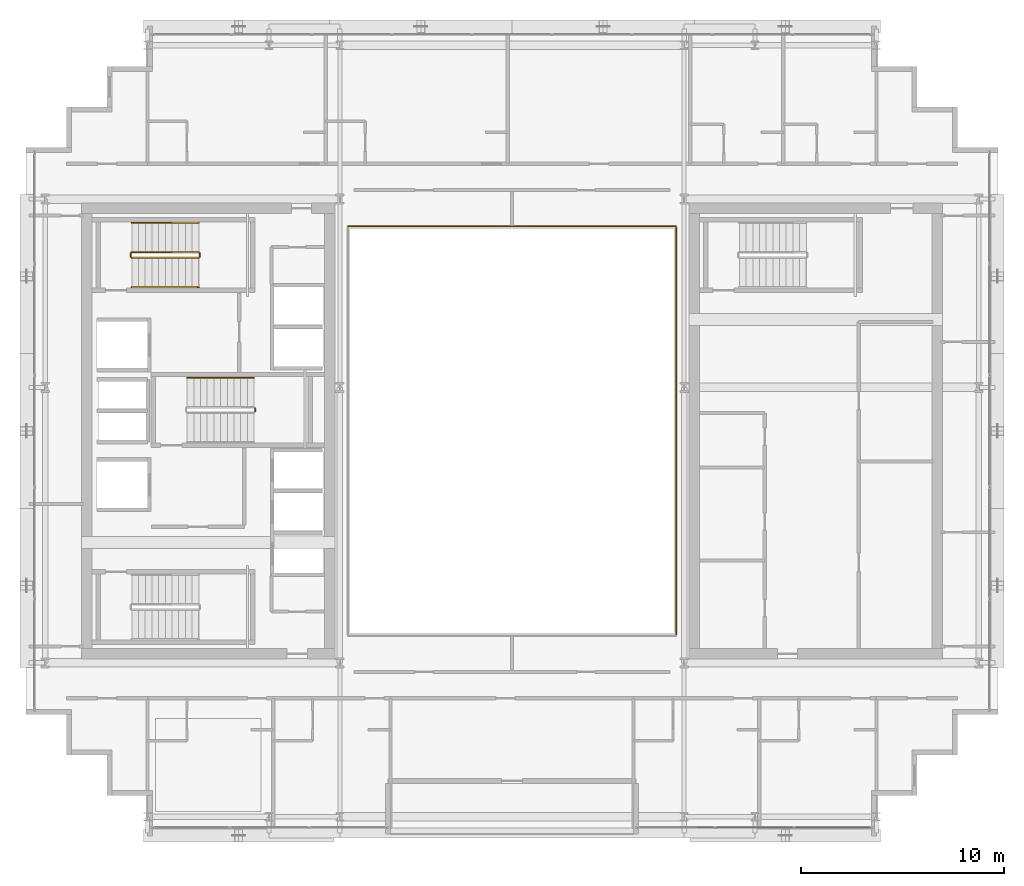
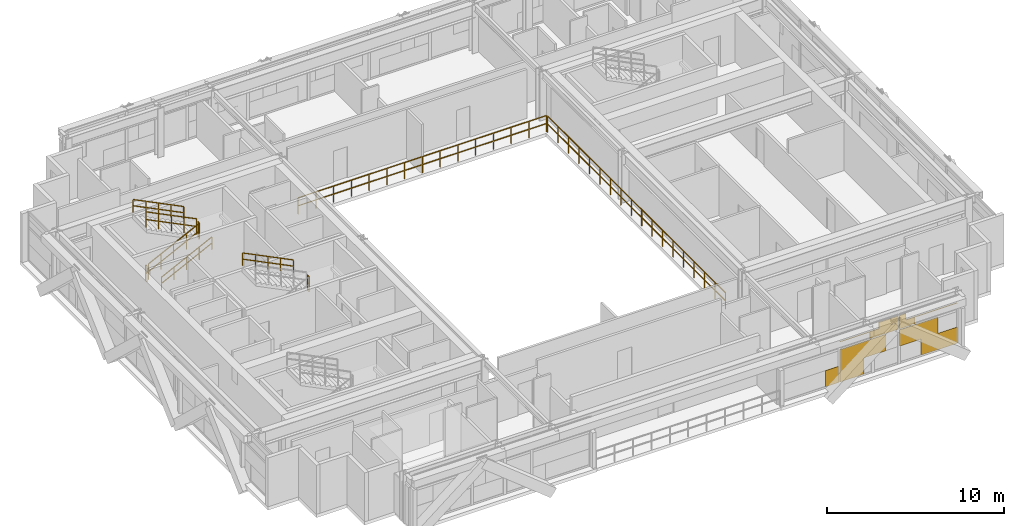
# One storey, part 29 of 31: 10 railings, 1 covering.
"""IFC4 building model written with IfcOpenShell, lengths in metres."""

import ifcopenshell
import ifcopenshell.guid

model = None  # the IFC model being written
_history = None  # IfcOwnerHistory: only IFC2X3 demands one
_inside = {}  # id of a spatial element -> (the spatial element, [elements in it])
_under = {}  # id of a project, library or spatial element -> (it, [spatial elements below it])
_declared = {}  # id of a project -> (the project, [libraries it declares])
_typed = {}  # id of a type object -> (the type object, [elements of that type])
_made_of = {}  # id of a material, layer set ... -> (it, [elements and type objects made of it])


def new_model(schema):
    """Start an empty IFC model of exactly this schema.

    Asked for "IFC4X3", IfcOpenShell would pick the latest addendum, in which some entities
    have other attributes; the version numbers below select the first issue.
    IFC2X3 requires an IfcOwnerHistory on every rooted entity: one is made here for all.
    """
    global model, _history
    if schema == "IFC4X3":
        model = ifcopenshell.file(schema_version=(4, 3, 0, 0))
    else:
        model = ifcopenshell.file(schema=schema)
    _inside.clear()
    _under.clear()
    _declared.clear()
    _typed.clear()
    _made_of.clear()
    _history = None
    if model.schema == "IFC2X3":
        org = make("IfcOrganization", Name="unknown")
        user = make(
            "IfcPersonAndOrganization",
            ThePerson=make("IfcPerson", FamilyName="unknown"),
            TheOrganization=org,
        )
        app = make(
            "IfcApplication",
            ApplicationDeveloper=org,
            Version="unknown",
            ApplicationFullName="unknown",
            ApplicationIdentifier="unknown",
        )
        _history = make(
            "IfcOwnerHistory",
            OwningUser=user,
            OwningApplication=app,
            ChangeAction="ADDED",
            CreationDate=0,
        )
    return model


def make(cls, **values):
    """One entity of the class cls with the attributes given. An attribute that is None is left unset."""
    return model.create_entity(
        cls, **{name: value for name, value in values.items() if value is not None}
    )


def rooted(cls, **values):
    """An entity with a GlobalId (a new one), such as an element, a storey or a relation."""
    return make(cls, GlobalId=ifcopenshell.guid.new(), OwnerHistory=_history, **values)


def si_unit(unit_type, name, prefix=None):
    """IfcSIUnit, for example si_unit("LENGTHUNIT", "METRE", prefix="MILLI")."""
    return make("IfcSIUnit", UnitType=unit_type, Prefix=prefix, Name=name)


def assignment(units):
    """IfcUnitAssignment: the units of a project."""
    return None if units is None else make("IfcUnitAssignment", Units=units)


def point(xyz):
    """IfcCartesianPoint."""
    return None if xyz is None else make("IfcCartesianPoint", Coordinates=xyz)


def direction(xyz):
    """IfcDirection."""
    return None if xyz is None else make("IfcDirection", DirectionRatios=xyz)


def frame(location, z_axis=None, x_axis=None):
    """IfcAxis2Placement3D, a coordinate frame: its origin and axes. An axis left out is left unset."""
    return make(
        "IfcAxis2Placement3D",
        Location=point(location),
        Axis=direction(z_axis),
        RefDirection=direction(x_axis),
    )


def frame_2d(location, x_axis=None):
    """IfcAxis2Placement2D, a coordinate frame in the plane: its origin and x axis."""
    return make(
        "IfcAxis2Placement2D", Location=point(location), RefDirection=direction(x_axis)
    )


def origin():
    """The frame at (0, 0, 0) with its axes left unset."""
    return frame((0.0, 0.0, 0.0))


def origin_2d():
    """The frame at (0, 0) in the plane with its x axis left unset."""
    return frame_2d((0.0, 0.0))


def place(relative_to, where):
    """IfcLocalPlacement: puts the frame where relative to a parent placement (None: the world)."""
    return make(
        "IfcLocalPlacement", PlacementRelTo=relative_to, RelativePlacement=where
    )


def context(
    kind, dimensions, precision=None, world=None, true_north=None, identifier=None
):
    """IfcGeometricRepresentationContext, for example the 3D "Model" context."""
    return make(
        "IfcGeometricRepresentationContext",
        ContextIdentifier=identifier,
        ContextType=kind,
        CoordinateSpaceDimension=dimensions,
        Precision=precision,
        WorldCoordinateSystem=world,
        TrueNorth=true_north,
    )


def subcontext(parent, identifier, kind, view, scale=None):
    """IfcGeometricRepresentationSubContext, for example "Body" below "Model"."""
    return make(
        "IfcGeometricRepresentationSubContext",
        ContextIdentifier=identifier,
        ContextType=kind,
        ParentContext=parent,
        TargetScale=scale,
        TargetView=view,
    )


def project(units=None, contexts=None):
    """IfcProject with its units and contexts."""
    return rooted(
        "IfcProject",
        Name="project",
        RepresentationContexts=contexts,
        UnitsInContext=assignment(units),
    )


def spatial(cls, under=None, at=None, **own):
    """A site, building, storey or space (cls), placed at a placement, below another one or the project."""
    s = rooted(cls, ObjectPlacement=at, **own)
    if under is not None:
        _under.setdefault(under.id(), (under, []))[1].append(s)
    return s


def profile(cls, at=None, kind="AREA", **sizes):
    """A parametric profile (cls). Its sizes go by their IFC names, for example OverallWidth=200.0."""
    return make(cls, ProfileType=kind, Position=at, **sizes)


def rectangle(**sizes):
    """IfcRectangleProfileDef."""
    return profile("IfcRectangleProfileDef", **sizes)


def extrude(swept, where, along, depth):
    """IfcExtrudedAreaSolid: the profile swept, set in the frame where, extruded along a direction by depth."""
    return make(
        "IfcExtrudedAreaSolid",
        SweptArea=swept,
        Position=where,
        ExtrudedDirection=direction(along),
        Depth=depth,
    )


def shape(context_of_items, identifier, shape_type, items):
    """IfcShapeRepresentation: the items that make up one representation, for example the "Body"."""
    return make(
        "IfcShapeRepresentation",
        ContextOfItems=context_of_items,
        RepresentationIdentifier=identifier,
        RepresentationType=shape_type,
        Items=items,
    )


def material(Name=None, Category=None):
    """IfcMaterial."""
    return make("IfcMaterial", Name=Name, Category=Category)


def layer(
    of_material, thickness, ventilated=None, Name=None, Category=None, Priority=None
):
    """IfcMaterialLayer: one layer of a wall or slab, of a material (None: an air gap)."""
    return make(
        "IfcMaterialLayer",
        Material=of_material,
        LayerThickness=thickness,
        IsVentilated=ventilated,
        Name=Name,
        Category=Category,
        Priority=Priority,
    )


def layer_set(layers, Name=None):
    """IfcMaterialLayerSet."""
    return make("IfcMaterialLayerSet", MaterialLayers=layers, LayerSetName=Name)


def made_of(thing, what):
    """Note that an element or type object is made of a material, layer set ...; save() writes the relation."""
    if what is not None:
        _made_of.setdefault(what.id(), (what, []))[1].append(thing)
    return thing


def type_object(cls, material=None, **own):
    """A type object (cls), such as IfcWallType, which elements share."""
    return made_of(rooted(cls, **own), material)


def element(
    cls,
    number,
    at=None,
    inside=None,
    cuts=None,
    type_object=None,
    material=None,
    context=None,
    identifier="Body",
    shape_type=None,
    held_by="IfcProductDefinitionShape",
    body=None,
    shapes=None,
    **own,
):
    """One element of the class cls, such as IfcWall. Its Tag is "e" and its number.

    at: its placement. inside: the storey or other place that contains it. cuts: it is an
    opening in that element (IfcRelVoidsElement). A single representation is given by context,
    identifier, shape_type and body (its items); several are given by shapes. held_by: the class
    of the entity that holds the representations. save() writes the other relations.
    """
    e = rooted(cls, Tag="e%d" % number, ObjectPlacement=at, **own)
    if body is not None:
        shapes = [shape(context, identifier, shape_type, body)]
    if shapes is not None:
        e.Representation = make(held_by, Representations=shapes)
    if inside is not None:
        _inside.setdefault(inside.id(), (inside, []))[1].append(e)
    if cuts is not None:
        rooted(
            "IfcRelVoidsElement", RelatingBuildingElement=cuts, RelatedOpeningElement=e
        )
    if type_object is not None:
        _typed.setdefault(type_object.id(), (type_object, []))[1].append(e)
    return made_of(e, material)


def aggregate(whole, parts):
    """IfcRelAggregates: a whole, such as a stair, and the parts it consists of."""
    return rooted("IfcRelAggregates", RelatingObject=whole, RelatedObjects=parts)


def save(model, path):
    """Write the relations noted so far, then the file.

    IfcRelAggregates (storeys below a building ...), IfcRelContainedInSpatialStructure (elements
    in a storey), IfcRelDefinesByType, IfcRelAssociatesMaterial and IfcRelDeclares: one each for
    every whole, place, type object, material and project.
    """
    for whole, parts in _under.values():
        aggregate(whole, parts)
    for where, things in _inside.values():
        rooted(
            "IfcRelContainedInSpatialStructure",
            RelatedElements=things,
            RelatingStructure=where,
        )
    for kind, things in _typed.values():
        rooted("IfcRelDefinesByType", RelatedObjects=things, RelatingType=kind)
    for what, things in _made_of.values():
        rooted("IfcRelAssociatesMaterial", RelatedObjects=things, RelatingMaterial=what)
    for by, libraries in _declared.values():
        rooted("IfcRelDeclares", RelatingContext=by, RelatedDefinitions=libraries)
    model.write(path)


model = new_model("IFC4")

# Units and contexts
model_context = context("Model", 3, precision=1e-05, world=origin(), true_north=direction((0.0, 1.0)))
body_context = subcontext(model_context, "Body", "Model", "MODEL_VIEW")
ifc_project = project(units=[si_unit("LENGTHUNIT", "METRE"), si_unit("AREAUNIT", "SQUARE_METRE"), si_unit("VOLUMEUNIT", "CUBIC_METRE"), si_unit("PLANEANGLEUNIT", "RADIAN"), si_unit("MASSUNIT", "GRAM", prefix="KILO")], contexts=[model_context])

# Site, building, storey
site_placement = place(None, origin())
site = spatial("IfcSite", under=ifc_project, at=site_placement, CompositionType="ELEMENT")
building_placement = place(site_placement, origin())
building = spatial("IfcBuilding", under=site, at=building_placement, Name="Ocotamira Hotel", CompositionType="ELEMENT")
storey_placement = place(building_placement, frame((0.0, 0.0, 174.0)))
storey = spatial("IfcBuildingStorey", under=building, at=storey_placement, Name="L43", CompositionType="ELEMENT", Elevation=174.0)

# Covering
ifc_material_1 = material(Name="Insulated pale-metal aluminium spandrel panel", Category="aluminium")
ifc_layer = layer(ifc_material_1, 0.044921875)
ifc_layer_set = layer_set([ifc_layer], Name="Insulated pale-metal aluminium spandrel panel")
covering_type = type_object("IfcCoveringType", Name="COV-INFILL-45", PredefinedType="CLADDING", material=ifc_layer_set)
covering_placement = place(storey_placement, origin())
element("IfcCovering", 1, at=covering_placement, inside=storey, type_object=covering_type, Name="L43 Curtain Wall Infill CW-4 CW-L43-S2", PredefinedType="CLADDING", context=body_context, shape_type="SweptSolid", body=[
    extrude(rectangle(XDim=0.85888671875, YDim=0.044921875, at=origin_2d()), frame((41.5634765625, 6.419921875, 0.07568359375), z_axis=(0.0, 0.0, 1.0), x_axis=(1.0, 0.0, 0.0)), (0.0, 0.0, 1.0), 1.117919921875),
    extrude(rectangle(XDim=1.578125, YDim=0.044921875, at=origin_2d()), frame((42.86279296875, 6.419921875, 0.07568359375), z_axis=(0.0, 0.0, 1.0), x_axis=(1.0, 0.0, 0.0)), (0.0, 0.0, 1.0), 1.117919921875),
    extrude(rectangle(XDim=2.9765625, YDim=0.044921875, at=origin_2d()), frame((43.56201171875, 6.419921875, 1.1943359375), z_axis=(0.0, 0.0, 1.0), x_axis=(1.0, 0.0, 0.0)), (0.0, 0.0, 1.0), 1.117919921875),
    extrude(rectangle(XDim=3.80224609375, YDim=0.044921875, at=origin_2d()), frame((43.97509765625, 6.419921875, 2.83154296875), z_axis=(0.0, 0.0, 1.0), x_axis=(1.0, 0.0, 0.0)), (0.0, 0.0, 1.0), 0.0302734375),
    extrude(rectangle(XDim=1.8515625, YDim=0.044921875, at=origin_2d()), frame((44.950439453125, 6.419921875, 2.38818359375), z_axis=(0.0, 0.0, 1.0), x_axis=(1.0, 0.0, 0.0)), (0.0, 0.0, 1.0), 0.442626953125),
    extrude(rectangle(XDim=1.258056640625, YDim=0.044921875, at=origin_2d()), frame((45.2470703125, 6.419921875, 2.86279296875), z_axis=(0.0, 0.0, 1.0), x_axis=(1.0, 0.0, 0.0)), (0.0, 0.0, 1.0), 0.431640625),
    extrude(rectangle(XDim=2.510498046875, YDim=0.044921875, at=origin_2d()), frame((47.21240234375, 6.419921875, 1.1943359375), z_axis=(0.0, 0.0, 1.0), x_axis=(1.0, 0.0, 0.0)), (0.0, 0.0, 1.0), 1.117919921875),
    extrude(rectangle(XDim=2.37158203125, YDim=0.044921875, at=origin_2d()), frame((48.53369140625, 6.419921875, 0.07568359375), z_axis=(0.0, 0.0, 1.0), x_axis=(1.0, 0.0, 0.0)), (0.0, 0.0, 1.0), 1.117919921875),
    extrude(rectangle(XDim=1.018310546875, YDim=0.044921875, at=origin_2d()), frame((46.46630859375, 6.419921875, 2.38818359375), z_axis=(0.0, 0.0, 1.0), x_axis=(1.0, 0.0, 0.0)), (0.0, 0.0, 1.0), 0.442626953125),
    extrude(rectangle(XDim=3.76220703125, YDim=0.044921875, at=origin_2d()), frame((47.83837890625, 6.419921875, 2.83154296875), z_axis=(0.0, 0.0, 1.0), x_axis=(1.0, 0.0, 0.0)), (0.0, 0.0, 1.0), 0.0302734375),
    extrude(rectangle(XDim=0.4248046875, YDim=0.044921875, at=origin_2d()), frame((46.16943359375, 6.419921875, 2.86279296875), z_axis=(0.0, 0.0, 1.0), x_axis=(1.0, 0.0, 0.0)), (0.0, 0.0, 1.0), 0.431640625),
])

# Railings
ifc_material_2 = material(Name="Painted steel stair guardrail", Category="steel")
railing_type_1 = type_object("IfcRailingType", Name="RL-EDGE-1150", PredefinedType="GUARDRAIL", material=ifc_material_2)
railing_1_placement = place(storey_placement, frame((40.1201171875, 15.9599609375, 0.0)))
element("IfcRailing", 2, at=railing_1_placement, inside=storey, type_object=railing_type_1, Name="L43 Central Atrium Edge Guardrail E", PredefinedType="GUARDRAIL", context=body_context, shape_type="SweptSolid", body=[
    extrude(rectangle(XDim=0.048095703125, YDim=0.048095703125, at=origin_2d()), frame((0.0, 0.0, 1.1259765625), z_axis=(0.0, 1.0, 0.0), x_axis=(-1.0, 0.0, 0.0)), (0.0, 0.0, 1.0), 20.080078125),
    extrude(rectangle(XDim=0.048095703125, YDim=0.048095703125, at=origin_2d()), frame((0.0, 0.0, 0.574951171875), z_axis=(0.0, 1.0, 0.0), x_axis=(-1.0, 0.0, 0.0)), (0.0, 0.0, 1.0), 20.080078125),
    extrude(rectangle(XDim=0.0419921875, YDim=0.0419921875, at=origin_2d()), origin(), (0.0, 0.0, 1.0), 1.101806640625),
    extrude(rectangle(XDim=0.0419921875, YDim=0.0419921875, at=origin_2d()), frame((0.0, 1.18115234375, 0.0)), (0.0, 0.0, 1.0), 1.101806640625),
    extrude(rectangle(XDim=0.0419921875, YDim=0.0419921875, at=origin_2d()), frame((0.0, 2.3623046875, 0.0)), (0.0, 0.0, 1.0), 1.101806640625),
    extrude(rectangle(XDim=0.0419921875, YDim=0.0419921875, at=origin_2d()), frame((0.0, 3.54345703125, 0.0)), (0.0, 0.0, 1.0), 1.101806640625),
    extrude(rectangle(XDim=0.0419921875, YDim=0.0419921875, at=origin_2d()), frame((0.0, 4.724609375, 0.0)), (0.0, 0.0, 1.0), 1.101806640625),
    extrude(rectangle(XDim=0.0419921875, YDim=0.0419921875, at=origin_2d()), frame((0.0, 5.906005859375, 0.0)), (0.0, 0.0, 1.0), 1.101806640625),
    extrude(rectangle(XDim=0.0419921875, YDim=0.0419921875, at=origin_2d()), frame((0.0, 7.087158203125, 0.0)), (0.0, 0.0, 1.0), 1.101806640625),
    extrude(rectangle(XDim=0.0419921875, YDim=0.0419921875, at=origin_2d()), frame((0.0, 8.268310546875, 0.0)), (0.0, 0.0, 1.0), 1.101806640625),
    extrude(rectangle(XDim=0.0419921875, YDim=0.0419921875, at=origin_2d()), frame((0.0, 9.449462890625, 0.0)), (0.0, 0.0, 1.0), 1.101806640625),
    extrude(rectangle(XDim=0.0419921875, YDim=0.0419921875, at=origin_2d()), frame((0.0, 10.630615234375, 0.0)), (0.0, 0.0, 1.0), 1.101806640625),
    extrude(rectangle(XDim=0.0419921875, YDim=0.0419921875, at=origin_2d()), frame((0.0, 11.811767578125, 0.0)), (0.0, 0.0, 1.0), 1.101806640625),
    extrude(rectangle(XDim=0.0419921875, YDim=0.0419921875, at=origin_2d()), frame((0.0, 12.992919921875, 0.0)), (0.0, 0.0, 1.0), 1.101806640625),
    extrude(rectangle(XDim=0.0419921875, YDim=0.0419921875, at=origin_2d()), frame((0.0, 14.174072265625, 0.0)), (0.0, 0.0, 1.0), 1.101806640625),
    extrude(rectangle(XDim=0.0419921875, YDim=0.0419921875, at=origin_2d()), frame((0.0, 15.35546875, 0.0)), (0.0, 0.0, 1.0), 1.101806640625),
    extrude(rectangle(XDim=0.0419921875, YDim=0.0419921875, at=origin_2d()), frame((0.0, 16.53662109375, 0.0)), (0.0, 0.0, 1.0), 1.101806640625),
    extrude(rectangle(XDim=0.0419921875, YDim=0.0419921875, at=origin_2d()), frame((0.0, 17.7177734375, 0.0)), (0.0, 0.0, 1.0), 1.101806640625),
    extrude(rectangle(XDim=0.0419921875, YDim=0.0419921875, at=origin_2d()), frame((0.0, 18.89892578125, 0.0)), (0.0, 0.0, 1.0), 1.101806640625),
    extrude(rectangle(XDim=0.0419921875, YDim=0.0419921875, at=origin_2d()), frame((0.0, 20.080078125, 0.0)), (0.0, 0.0, 1.0), 1.101806640625),
])
railing_2_placement = place(storey_placement, frame((40.10009765625, 36.1201171875, 0.0)))
element("IfcRailing", 3, at=railing_2_placement, inside=storey, type_object=railing_type_1, Name="L43 Central Atrium Edge Guardrail N", PredefinedType="GUARDRAIL", context=body_context, shape_type="SweptSolid", body=[
    extrude(rectangle(XDim=0.048095703125, YDim=0.048095703125, at=origin_2d()), frame((0.0, 0.0, 1.1259765625), z_axis=(-1.0, 0.0, 0.0), x_axis=(0.0, -1.0, 0.0)), (0.0, 0.0, 1.0), 16.2001953125),
    extrude(rectangle(XDim=0.048095703125, YDim=0.048095703125, at=origin_2d()), frame((0.0, 0.0, 0.574951171875), z_axis=(-1.0, 0.0, 0.0), x_axis=(0.0, -1.0, 0.0)), (0.0, 0.0, 1.0), 16.2001953125),
    extrude(rectangle(XDim=0.0419921875, YDim=0.0419921875, at=origin_2d()), origin(), (0.0, 0.0, 1.0), 1.101806640625),
    extrude(rectangle(XDim=0.0419921875, YDim=0.0419921875, at=origin_2d()), frame((-1.1572265625, 0.0, 0.0)), (0.0, 0.0, 1.0), 1.101806640625),
    extrude(rectangle(XDim=0.0419921875, YDim=0.0419921875, at=origin_2d()), frame((-2.314208984375, 0.0, 0.0)), (0.0, 0.0, 1.0), 1.101806640625),
    extrude(rectangle(XDim=0.0419921875, YDim=0.0419921875, at=origin_2d()), frame((-3.471435546875, 0.0, 0.0)), (0.0, 0.0, 1.0), 1.101806640625),
    extrude(rectangle(XDim=0.0419921875, YDim=0.0419921875, at=origin_2d()), frame((-4.628662109375, 0.0, 0.0)), (0.0, 0.0, 1.0), 1.101806640625),
    extrude(rectangle(XDim=0.0419921875, YDim=0.0419921875, at=origin_2d()), frame((-5.785888671875, 0.0, 0.0)), (0.0, 0.0, 1.0), 1.101806640625),
    extrude(rectangle(XDim=0.0419921875, YDim=0.0419921875, at=origin_2d()), frame((-6.94287109375, 0.0, 0.0)), (0.0, 0.0, 1.0), 1.101806640625),
    extrude(rectangle(XDim=0.0419921875, YDim=0.0419921875, at=origin_2d()), frame((-8.10009765625, 0.0, 0.0)), (0.0, 0.0, 1.0), 1.101806640625),
    extrude(rectangle(XDim=0.0419921875, YDim=0.0419921875, at=origin_2d()), frame((-9.25732421875, 0.0, 0.0)), (0.0, 0.0, 1.0), 1.101806640625),
    extrude(rectangle(XDim=0.0419921875, YDim=0.0419921875, at=origin_2d()), frame((-10.414306640625, 0.0, 0.0)), (0.0, 0.0, 1.0), 1.101806640625),
    extrude(rectangle(XDim=0.0419921875, YDim=0.0419921875, at=origin_2d()), frame((-11.571533203125, 0.0, 0.0)), (0.0, 0.0, 1.0), 1.101806640625),
    extrude(rectangle(XDim=0.0419921875, YDim=0.0419921875, at=origin_2d()), frame((-12.728759765625, 0.0, 0.0)), (0.0, 0.0, 1.0), 1.101806640625),
    extrude(rectangle(XDim=0.0419921875, YDim=0.0419921875, at=origin_2d()), frame((-13.885986328125, 0.0, 0.0)), (0.0, 0.0, 1.0), 1.101806640625),
    extrude(rectangle(XDim=0.0419921875, YDim=0.0419921875, at=origin_2d()), frame((-15.04296875, 0.0, 0.0)), (0.0, 0.0, 1.0), 1.101806640625),
    extrude(rectangle(XDim=0.0419921875, YDim=0.0419921875, at=origin_2d()), frame((-16.2001953125, 0.0, 0.0)), (0.0, 0.0, 1.0), 1.101806640625),
])
ifc_material_3 = material(Name="Brushed stainless steel handrail", Category="steel")
railing_type_2 = type_object("IfcRailingType", Name="RL-HAND-900", PredefinedType="HANDRAIL", material=ifc_material_3)
railing_3_placement = place(storey_placement, frame((13.22998046875, 33.10009765625, 0.327392578125)))
element("IfcRailing", 4, at=railing_3_placement, inside=storey, type_object=railing_type_2, Name="L43 ST-2 stair handrail 1", PredefinedType="HANDRAIL", context=body_context, shape_type="SweptSolid", body=[
    extrude(rectangle(XDim=0.048095703125, YDim=0.048095703125, at=origin_2d()), frame((0.0, 0.0, 0.8759765625), z_axis=(0.895920123917, 0.0, 0.444215186098), x_axis=(0.0, 1.0, 0.0)), (0.0, 0.0, 1.0), 3.683349609375),
    extrude(rectangle(XDim=0.048095703125, YDim=0.048095703125, at=origin_2d()), frame((0.0, 0.0, 0.449951171875), z_axis=(0.895920123917, 0.0, 0.444215186098), x_axis=(0.0, 1.0, 0.0)), (0.0, 0.0, 1.0), 3.683349609375),
    extrude(rectangle(XDim=0.0419921875, YDim=0.0419921875, at=origin_2d()), origin(), (0.0, 0.0, 1.0), 0.851806640625),
    extrude(rectangle(XDim=0.0419921875, YDim=0.0419921875, at=origin_2d()), frame((0.824951171875, 0.0, 0.4091796875)), (0.0, 0.0, 1.0), 0.851806640625),
    extrude(rectangle(XDim=0.0419921875, YDim=0.0419921875, at=origin_2d()), frame((1.64990234375, 0.0, 0.818115234375)), (0.0, 0.0, 1.0), 0.851806640625),
    extrude(rectangle(XDim=0.0419921875, YDim=0.0419921875, at=origin_2d()), frame((2.47509765625, 0.0, 1.22705078125)), (0.0, 0.0, 1.0), 0.851806640625),
    extrude(rectangle(XDim=0.0419921875, YDim=0.0419921875, at=origin_2d()), frame((3.300048828125, 0.0, 1.63623046875)), (0.0, 0.0, 1.0), 0.851806640625),
])
for number, where, name in (
    (5, (16.530029296875, 36.280029296875, 2.127197265625), "L43 ST-2 stair handrail 2"),
    (6, (19.260009765625, 28.6298828125, 2.127197265625), "L43 ST-3 stair handrail 2"),
):
    element("IfcRailing", number, at=place(storey_placement, frame(where)), inside=storey, type_object=railing_type_2, Name=name, PredefinedType="HANDRAIL", context=body_context, shape_type="SweptSolid", body=[
        extrude(rectangle(XDim=0.048095703125, YDim=0.048095703125, at=origin_2d()), frame((0.0, 0.0, 0.8759765625), z_axis=(-0.895893744519, 0.0, 0.4442683857), x_axis=(0.0, -1.0, 0.0)), (0.0, 0.0, 1.0), 3.68359375),
        extrude(rectangle(XDim=0.048095703125, YDim=0.048095703125, at=origin_2d()), frame((0.0, 0.0, 0.449951171875), z_axis=(-0.895893744519, 0.0, 0.4442683857), x_axis=(0.0, -1.0, 0.0)), (0.0, 0.0, 1.0), 3.68359375),
        extrude(rectangle(XDim=0.0419921875, YDim=0.0419921875, at=origin_2d()), origin(), (0.0, 0.0, 1.0), 0.851806640625),
        extrude(rectangle(XDim=0.0419921875, YDim=0.0419921875, at=origin_2d()), frame((-0.824951171875, 0.0, 0.4091796875)), (0.0, 0.0, 1.0), 0.851806640625),
        extrude(rectangle(XDim=0.0419921875, YDim=0.0419921875, at=origin_2d()), frame((-1.64990234375, 0.0, 0.818359375)), (0.0, 0.0, 1.0), 0.851806640625),
        extrude(rectangle(XDim=0.0419921875, YDim=0.0419921875, at=origin_2d()), frame((-2.47509765625, 0.0, 1.227294921875)), (0.0, 0.0, 1.0), 0.851806640625),
        extrude(rectangle(XDim=0.0419921875, YDim=0.0419921875, at=origin_2d()), frame((-3.300048828125, 0.0, 1.636474609375)), (0.0, 0.0, 1.0), 0.851806640625),
    ])
railing_type_3 = type_object("IfcRailingType", Name="RL-STAIR-1100", PredefinedType="GUARDRAIL", material=ifc_material_2)
railing_4_placement = place(storey_placement, frame((13.22998046875, 34.56005859375, 0.16357421875)))
element("IfcRailing", 7, at=railing_4_placement, inside=storey, type_object=railing_type_3, Name="L43 ST-2 stair guard 1", PredefinedType="GUARDRAIL", context=body_context, shape_type="SweptSolid", body=[
    extrude(rectangle(XDim=0.048095703125, YDim=0.048095703125, at=origin_2d()), frame((0.0, 0.0, 1.076171875), z_axis=(0.895893744519, 0.0, 0.4442683857), x_axis=(0.0, 1.0, 0.0)), (0.0, 0.0, 1.0), 3.68359375),
    extrude(rectangle(XDim=0.048095703125, YDim=0.048095703125, at=origin_2d()), frame((0.0, 0.0, 0.550048828125), z_axis=(0.895893744519, 0.0, 0.4442683857), x_axis=(0.0, 1.0, 0.0)), (0.0, 0.0, 1.0), 3.68359375),
    extrude(rectangle(XDim=0.0419921875, YDim=0.0419921875, at=origin_2d()), origin(), (0.0, 0.0, 1.0), 1.052001953125),
    extrude(rectangle(XDim=0.0419921875, YDim=0.0419921875, at=origin_2d()), frame((0.824951171875, 0.0, 0.4091796875)), (0.0, 0.0, 1.0), 1.052001953125),
    extrude(rectangle(XDim=0.0419921875, YDim=0.0419921875, at=origin_2d()), frame((1.64990234375, 0.0, 0.818359375)), (0.0, 0.0, 1.0), 1.052001953125),
    extrude(rectangle(XDim=0.0419921875, YDim=0.0419921875, at=origin_2d()), frame((2.47509765625, 0.0, 1.227294921875)), (0.0, 0.0, 1.0), 1.052001953125),
    extrude(rectangle(XDim=0.0419921875, YDim=0.0419921875, at=origin_2d()), frame((3.300048828125, 0.0, 1.636474609375)), (0.0, 0.0, 1.0), 1.052001953125),
])
railing_5_placement = place(storey_placement, frame((16.580078125, 34.610107421875, 1.800048828125)))
element("IfcRailing", 8, at=railing_5_placement, inside=storey, type_object=railing_type_3, Name="L43 ST-2 stair guard 2", PredefinedType="GUARDRAIL", context=body_context, shape_type="SweptSolid", body=[
    extrude(rectangle(XDim=0.048095703125, YDim=0.048095703125, at=origin_2d()), frame((0.0, 0.0, 1.076171875), z_axis=(0.0, 1.0, 0.0), x_axis=(-1.0, 0.0, 0.0)), (0.0, 0.0, 1.0), 0.159912109375),
    extrude(rectangle(XDim=0.048095703125, YDim=0.048095703125, at=origin_2d()), frame((0.0, 0.0, 0.550048828125), z_axis=(0.0, 1.0, 0.0), x_axis=(-1.0, 0.0, 0.0)), (0.0, 0.0, 1.0), 0.159912109375),
    extrude(rectangle(XDim=0.0419921875, YDim=0.0419921875, at=origin_2d()), origin(), (0.0, 0.0, 1.0), 1.052001953125),
    extrude(rectangle(XDim=0.0419921875, YDim=0.0419921875, at=origin_2d()), frame((0.0, 0.159912109375, 0.0)), (0.0, 0.0, 1.0), 1.052001953125),
])
railing_6_placement = place(storey_placement, frame((16.530029296875, 34.820068359375, 1.963623046875)))
element("IfcRailing", 9, at=railing_6_placement, inside=storey, type_object=railing_type_3, Name="L43 ST-2 stair guard 3", PredefinedType="GUARDRAIL", context=body_context, shape_type="SweptSolid", body=[
    extrude(rectangle(XDim=0.048095703125, YDim=0.048095703125, at=origin_2d()), frame((0.0, 0.0, 1.076171875), z_axis=(-0.895893744519, 0.0, 0.4442683857), x_axis=(0.0, -1.0, 0.0)), (0.0, 0.0, 1.0), 3.68359375),
    extrude(rectangle(XDim=0.048095703125, YDim=0.048095703125, at=origin_2d()), frame((0.0, 0.0, 0.550048828125), z_axis=(-0.895893744519, 0.0, 0.4442683857), x_axis=(0.0, -1.0, 0.0)), (0.0, 0.0, 1.0), 3.68359375),
    extrude(rectangle(XDim=0.0419921875, YDim=0.0419921875, at=origin_2d()), origin(), (0.0, 0.0, 1.0), 1.052001953125),
    extrude(rectangle(XDim=0.0419921875, YDim=0.0419921875, at=origin_2d()), frame((-0.824951171875, 0.0, 0.4091796875)), (0.0, 0.0, 1.0), 1.052001953125),
    extrude(rectangle(XDim=0.0419921875, YDim=0.0419921875, at=origin_2d()), frame((-1.64990234375, 0.0, 0.818359375)), (0.0, 0.0, 1.0), 1.052001953125),
    extrude(rectangle(XDim=0.0419921875, YDim=0.0419921875, at=origin_2d()), frame((-2.47509765625, 0.0, 1.227294921875)), (0.0, 0.0, 1.0), 1.052001953125),
    extrude(rectangle(XDim=0.0419921875, YDim=0.0419921875, at=origin_2d()), frame((-3.300048828125, 0.0, 1.636474609375)), (0.0, 0.0, 1.0), 1.052001953125),
])
railing_7_placement = place(storey_placement, frame((13.179931640625, 34.610107421875, 0.0)))
element("IfcRailing", 10, at=railing_7_placement, inside=storey, type_object=railing_type_3, Name="L43 ST-2 stair guard 4", PredefinedType="GUARDRAIL", context=body_context, shape_type="SweptSolid", body=[
    extrude(rectangle(XDim=0.048095703125, YDim=0.048095703125, at=origin_2d()), frame((0.0, 0.0, 1.076171875), z_axis=(0.0, 1.0, 0.0), x_axis=(-1.0, 0.0, 0.0)), (0.0, 0.0, 1.0), 0.159912109375),
    extrude(rectangle(XDim=0.048095703125, YDim=0.048095703125, at=origin_2d()), frame((0.0, 0.0, 0.550048828125), z_axis=(0.0, 1.0, 0.0), x_axis=(-1.0, 0.0, 0.0)), (0.0, 0.0, 1.0), 0.159912109375),
    extrude(rectangle(XDim=0.0419921875, YDim=0.0419921875, at=origin_2d()), origin(), (0.0, 0.0, 1.0), 1.052001953125),
    extrude(rectangle(XDim=0.0419921875, YDim=0.0419921875, at=origin_2d()), frame((0.0, 0.159912109375, 0.0)), (0.0, 0.0, 1.0), 1.052001953125),
])
railing_8_placement = place(storey_placement, frame((19.31005859375, 26.9599609375, 1.800048828125)))
element("IfcRailing", 11, at=railing_8_placement, inside=storey, type_object=railing_type_3, Name="L43 ST-3 stair guard 2", PredefinedType="GUARDRAIL", context=body_context, shape_type="SweptSolid", body=[
    extrude(rectangle(XDim=0.048095703125, YDim=0.048095703125, at=origin_2d()), frame((0.0, 0.0, 1.076171875), z_axis=(0.0, 1.0, 0.0), x_axis=(-1.0, 0.0, 0.0)), (0.0, 0.0, 1.0), 0.16015625),
    extrude(rectangle(XDim=0.048095703125, YDim=0.048095703125, at=origin_2d()), frame((0.0, 0.0, 0.550048828125), z_axis=(0.0, 1.0, 0.0), x_axis=(-1.0, 0.0, 0.0)), (0.0, 0.0, 1.0), 0.16015625),
    extrude(rectangle(XDim=0.0419921875, YDim=0.0419921875, at=origin_2d()), origin(), (0.0, 0.0, 1.0), 1.052001953125),
    extrude(rectangle(XDim=0.0419921875, YDim=0.0419921875, at=origin_2d()), frame((0.0, 0.16015625, 0.0)), (0.0, 0.0, 1.0), 1.052001953125),
])

save(model, "model.ifc")
